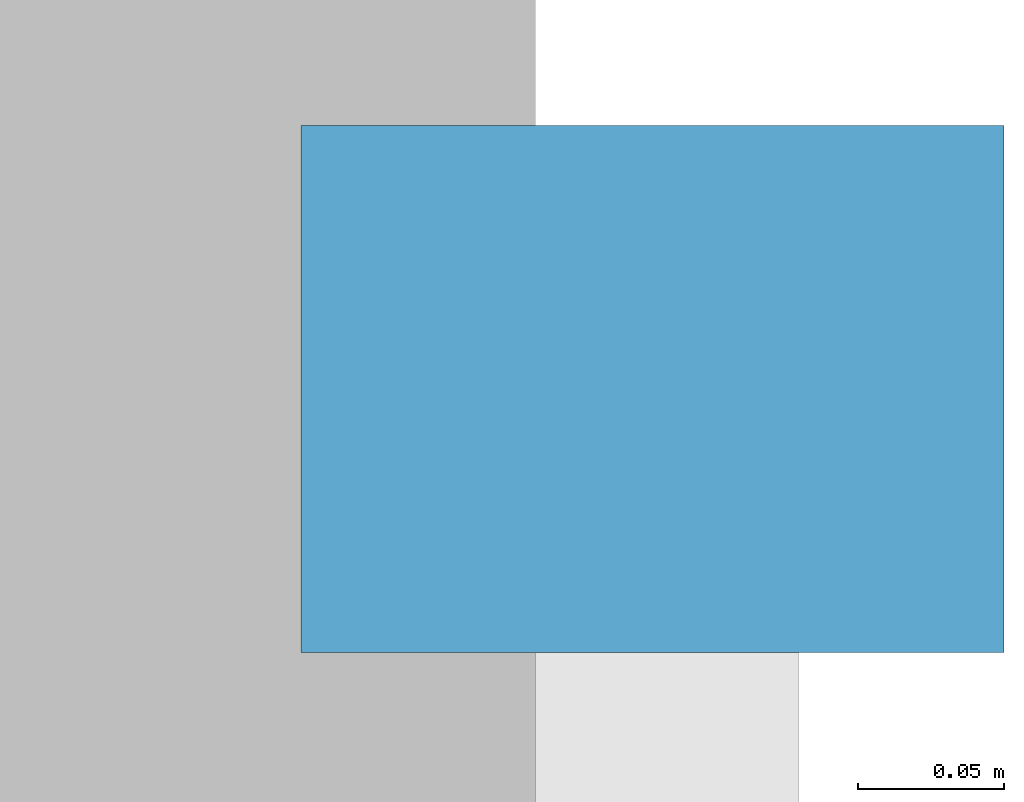
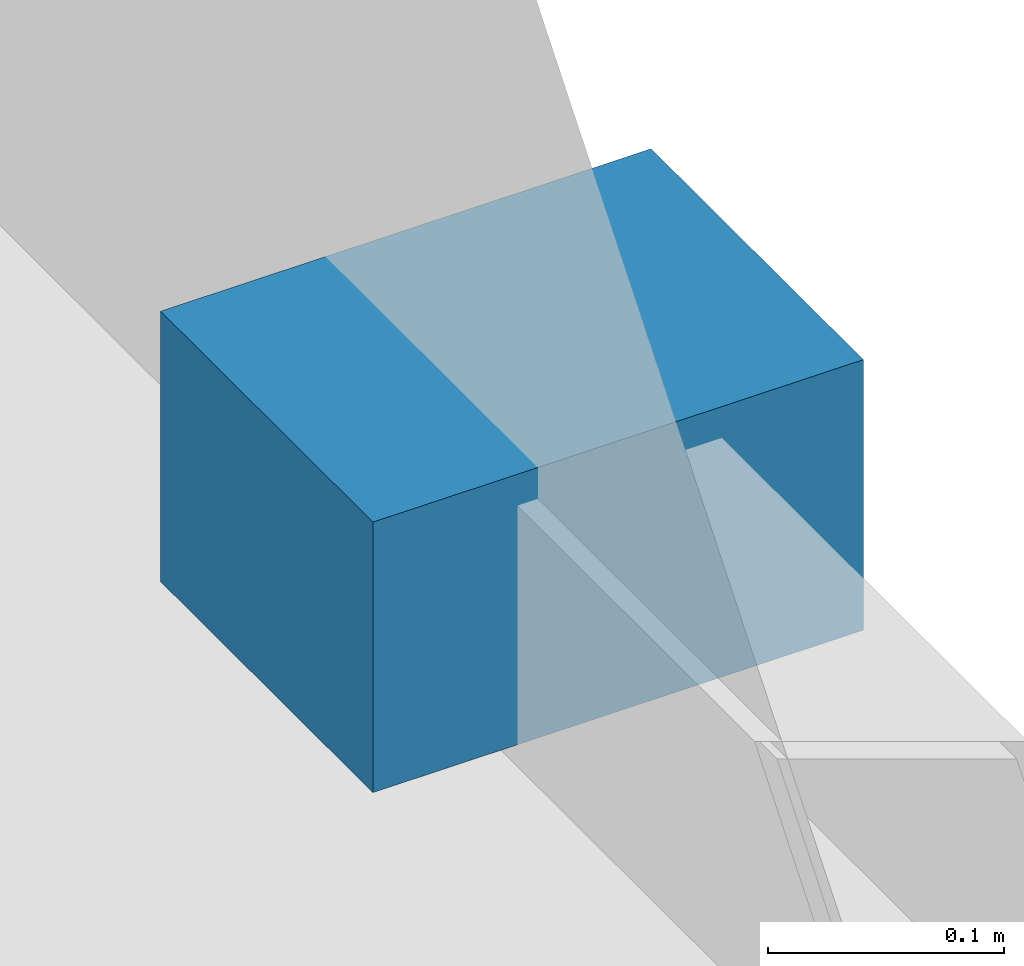
# One storey, part 106 of 118: 1 discrete accessory.
"""IFC4 building model written with IfcOpenShell, lengths in metres."""

from ifc_helpers import new_model, si_unit, direction, frame, origin, origin_2d, place, context, subcontext, project, spatial, rectangle, extrude, material, layer, layer_set, type_object, element, save


model = new_model("IFC4")

# Units and contexts
model_context = context("Model", 3, precision=1e-05, world=origin(), true_north=direction((0.0, 1.0)))
body_context = subcontext(model_context, "Body", "Model", "MODEL_VIEW")
ifc_project = project(units=[si_unit("LENGTHUNIT", "METRE"), si_unit("AREAUNIT", "SQUARE_METRE"), si_unit("VOLUMEUNIT", "CUBIC_METRE"), si_unit("PLANEANGLEUNIT", "RADIAN"), si_unit("MASSUNIT", "GRAM", prefix="KILO")], contexts=[model_context])

# Site, building, storey
site_placement = place(None, origin())
site = spatial("IfcSite", under=ifc_project, at=site_placement, CompositionType="ELEMENT")
building_placement = place(site_placement, origin())
building = spatial("IfcBuilding", under=site, at=building_placement, Name="Haebicheon Civic Stadium", CompositionType="ELEMENT")
storey_placement = place(building_placement, frame((0.0, 0.0, 14.39990234375)))
storey = spatial("IfcBuildingStorey", under=building, at=storey_placement, Name="L04", CompositionType="ELEMENT", Elevation=14.39990234375)

# Discrete accessory
ifc_material = material(Name="Stainless steel 316", Category="steel")
ifc_layer = layer(ifc_material, 0.139892578125, Name="Stainless steel 316")
ifc_layer_set = layer_set([ifc_layer], Name="Stainless steel 316")
discrete_accessory_type = type_object("IfcDiscreteAccessoryType", Name="BRK-LVR-CLEAT", PredefinedType="BRACKET", material=ifc_layer_set)
discrete_accessory_placement = place(storey_placement, frame((236.489990234375, 128.0, 0.01025390625), z_axis=(0.0, 0.0, 1.0), x_axis=(1.0, 0.0, 0.0)))
element("IfcDiscreteAccessory", 1, at=discrete_accessory_placement, inside=storey, type_object=discrete_accessory_type, material=ifc_layer_set, Name="SCR-COMM L04 stainless bracket cleat 10B", PredefinedType="BRACKET", context=body_context, shape_type="SweptSolid", body=[
    extrude(rectangle(XDim=0.239990234375, YDim=0.179931640625, at=origin_2d()), origin(), (0.0, 0.0, 1.0), 0.139892578125),
])

save(model, "model.ifc")
